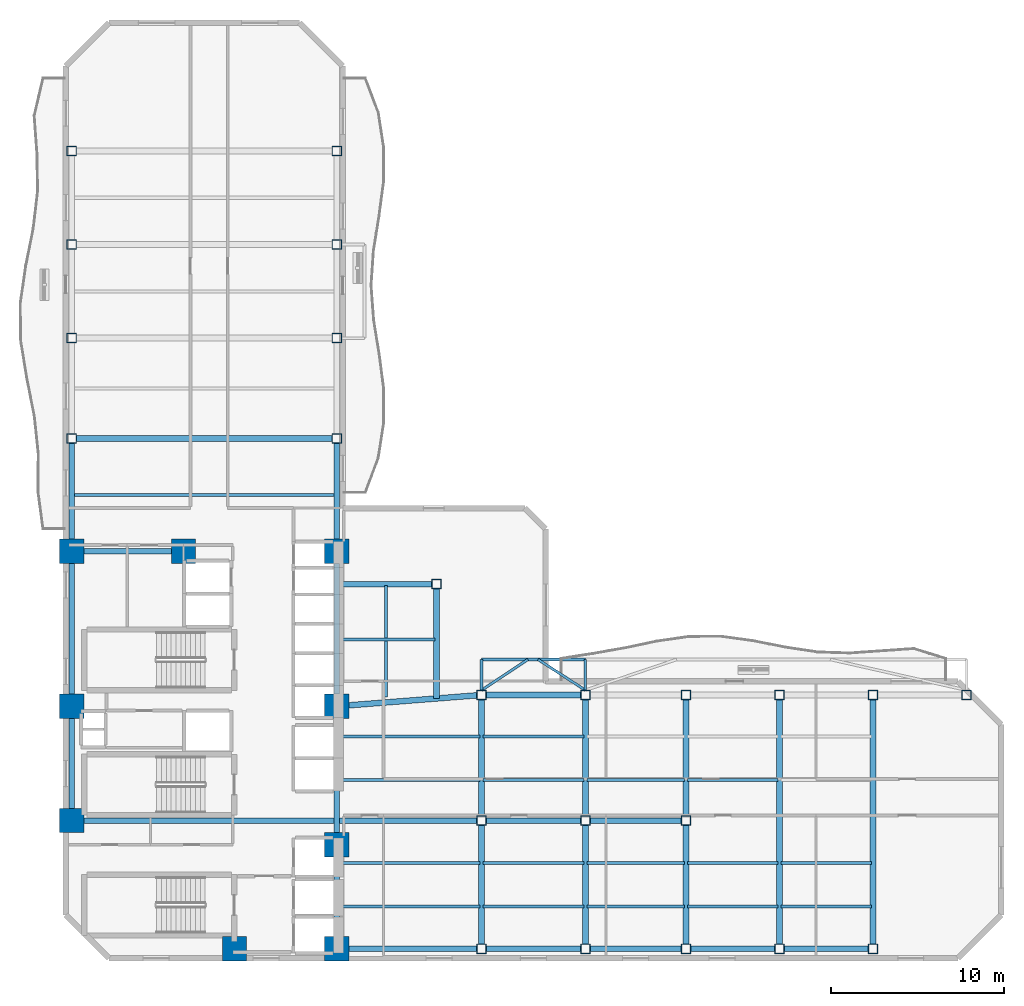
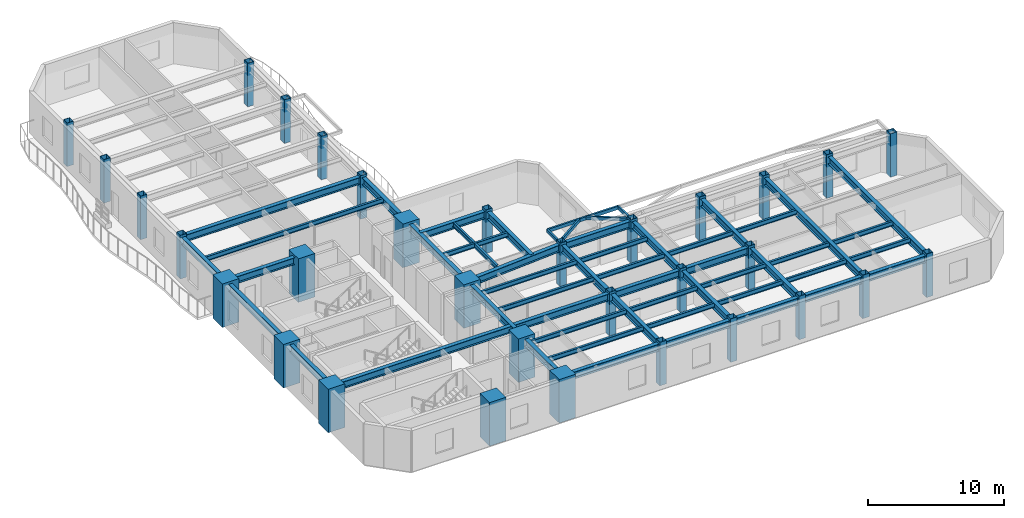
# One storey, part 1 of 10: 53 beams, 32 columns.
"""IFC4 building model written with IfcOpenShell, lengths in metres."""

import ifcopenshell
import ifcopenshell.guid

model = None  # the IFC model being written
_history = None  # IfcOwnerHistory: only IFC2X3 demands one
_inside = {}  # id of a spatial element -> (the spatial element, [elements in it])
_under = {}  # id of a project, library or spatial element -> (it, [spatial elements below it])
_declared = {}  # id of a project -> (the project, [libraries it declares])
_typed = {}  # id of a type object -> (the type object, [elements of that type])
_made_of = {}  # id of a material, layer set ... -> (it, [elements and type objects made of it])


def new_model(schema):
    """Start an empty IFC model of exactly this schema.

    Asked for "IFC4X3", IfcOpenShell would pick the latest addendum, in which some entities
    have other attributes; the version numbers below select the first issue.
    IFC2X3 requires an IfcOwnerHistory on every rooted entity: one is made here for all.
    """
    global model, _history
    if schema == "IFC4X3":
        model = ifcopenshell.file(schema_version=(4, 3, 0, 0))
    else:
        model = ifcopenshell.file(schema=schema)
    _inside.clear()
    _under.clear()
    _declared.clear()
    _typed.clear()
    _made_of.clear()
    _history = None
    if model.schema == "IFC2X3":
        org = make("IfcOrganization", Name="unknown")
        user = make(
            "IfcPersonAndOrganization",
            ThePerson=make("IfcPerson", FamilyName="unknown"),
            TheOrganization=org,
        )
        app = make(
            "IfcApplication",
            ApplicationDeveloper=org,
            Version="unknown",
            ApplicationFullName="unknown",
            ApplicationIdentifier="unknown",
        )
        _history = make(
            "IfcOwnerHistory",
            OwningUser=user,
            OwningApplication=app,
            ChangeAction="ADDED",
            CreationDate=0,
        )
    return model


def make(cls, **values):
    """One entity of the class cls with the attributes given. An attribute that is None is left unset."""
    return model.create_entity(
        cls, **{name: value for name, value in values.items() if value is not None}
    )


def rooted(cls, **values):
    """An entity with a GlobalId (a new one), such as an element, a storey or a relation."""
    return make(cls, GlobalId=ifcopenshell.guid.new(), OwnerHistory=_history, **values)


def si_unit(unit_type, name, prefix=None):
    """IfcSIUnit, for example si_unit("LENGTHUNIT", "METRE", prefix="MILLI")."""
    return make("IfcSIUnit", UnitType=unit_type, Prefix=prefix, Name=name)


def assignment(units):
    """IfcUnitAssignment: the units of a project."""
    return None if units is None else make("IfcUnitAssignment", Units=units)


def point(xyz):
    """IfcCartesianPoint."""
    return None if xyz is None else make("IfcCartesianPoint", Coordinates=xyz)


def direction(xyz):
    """IfcDirection."""
    return None if xyz is None else make("IfcDirection", DirectionRatios=xyz)


def frame(location, z_axis=None, x_axis=None):
    """IfcAxis2Placement3D, a coordinate frame: its origin and axes. An axis left out is left unset."""
    return make(
        "IfcAxis2Placement3D",
        Location=point(location),
        Axis=direction(z_axis),
        RefDirection=direction(x_axis),
    )


def frame_2d(location, x_axis=None):
    """IfcAxis2Placement2D, a coordinate frame in the plane: its origin and x axis."""
    return make(
        "IfcAxis2Placement2D", Location=point(location), RefDirection=direction(x_axis)
    )


def origin():
    """The frame at (0, 0, 0) with its axes left unset."""
    return frame((0.0, 0.0, 0.0))


def origin_2d():
    """The frame at (0, 0) in the plane with its x axis left unset."""
    return frame_2d((0.0, 0.0))


def place(relative_to, where):
    """IfcLocalPlacement: puts the frame where relative to a parent placement (None: the world)."""
    return make(
        "IfcLocalPlacement", PlacementRelTo=relative_to, RelativePlacement=where
    )


def context(
    kind, dimensions, precision=None, world=None, true_north=None, identifier=None
):
    """IfcGeometricRepresentationContext, for example the 3D "Model" context."""
    return make(
        "IfcGeometricRepresentationContext",
        ContextIdentifier=identifier,
        ContextType=kind,
        CoordinateSpaceDimension=dimensions,
        Precision=precision,
        WorldCoordinateSystem=world,
        TrueNorth=true_north,
    )


def subcontext(parent, identifier, kind, view, scale=None):
    """IfcGeometricRepresentationSubContext, for example "Body" below "Model"."""
    return make(
        "IfcGeometricRepresentationSubContext",
        ContextIdentifier=identifier,
        ContextType=kind,
        ParentContext=parent,
        TargetScale=scale,
        TargetView=view,
    )


def project(units=None, contexts=None):
    """IfcProject with its units and contexts."""
    return rooted(
        "IfcProject",
        Name="project",
        RepresentationContexts=contexts,
        UnitsInContext=assignment(units),
    )


def spatial(cls, under=None, at=None, **own):
    """A site, building, storey or space (cls), placed at a placement, below another one or the project."""
    s = rooted(cls, ObjectPlacement=at, **own)
    if under is not None:
        _under.setdefault(under.id(), (under, []))[1].append(s)
    return s


def profile(cls, at=None, kind="AREA", **sizes):
    """A parametric profile (cls). Its sizes go by their IFC names, for example OverallWidth=200.0."""
    return make(cls, ProfileType=kind, Position=at, **sizes)


def rectangle(**sizes):
    """IfcRectangleProfileDef."""
    return profile("IfcRectangleProfileDef", **sizes)


def hollow_rectangle(**sizes):
    """IfcRectangleHollowProfileDef."""
    return profile("IfcRectangleHollowProfileDef", **sizes)


def i_section(**sizes):
    """IfcIShapeProfileDef."""
    return profile("IfcIShapeProfileDef", **sizes)


def extrude(swept, where, along, depth):
    """IfcExtrudedAreaSolid: the profile swept, set in the frame where, extruded along a direction by depth."""
    return make(
        "IfcExtrudedAreaSolid",
        SweptArea=swept,
        Position=where,
        ExtrudedDirection=direction(along),
        Depth=depth,
    )


def shape(context_of_items, identifier, shape_type, items):
    """IfcShapeRepresentation: the items that make up one representation, for example the "Body"."""
    return make(
        "IfcShapeRepresentation",
        ContextOfItems=context_of_items,
        RepresentationIdentifier=identifier,
        RepresentationType=shape_type,
        Items=items,
    )


def material(Name=None, Category=None):
    """IfcMaterial."""
    return make("IfcMaterial", Name=Name, Category=Category)


def material_profile(
    of_material, cross_section, Name=None, Category=None, Priority=None
):
    """IfcMaterialProfile: a cross section and its material."""
    return make(
        "IfcMaterialProfile",
        Name=Name,
        Material=of_material,
        Profile=cross_section,
        Priority=Priority,
        Category=Category,
    )


def profile_set(profiles, Name=None, composite=None):
    """IfcMaterialProfileSet."""
    return make(
        "IfcMaterialProfileSet",
        Name=Name,
        MaterialProfiles=profiles,
        CompositeProfile=composite,
    )


def made_of(thing, what):
    """Note that an element or type object is made of a material, layer set ...; save() writes the relation."""
    if what is not None:
        _made_of.setdefault(what.id(), (what, []))[1].append(thing)
    return thing


def type_object(cls, material=None, **own):
    """A type object (cls), such as IfcWallType, which elements share."""
    return made_of(rooted(cls, **own), material)


def element(
    cls,
    number,
    at=None,
    inside=None,
    cuts=None,
    type_object=None,
    material=None,
    context=None,
    identifier="Body",
    shape_type=None,
    held_by="IfcProductDefinitionShape",
    body=None,
    shapes=None,
    **own,
):
    """One element of the class cls, such as IfcWall. Its Tag is "e" and its number.

    at: its placement. inside: the storey or other place that contains it. cuts: it is an
    opening in that element (IfcRelVoidsElement). A single representation is given by context,
    identifier, shape_type and body (its items); several are given by shapes. held_by: the class
    of the entity that holds the representations. save() writes the other relations.
    """
    e = rooted(cls, Tag="e%d" % number, ObjectPlacement=at, **own)
    if body is not None:
        shapes = [shape(context, identifier, shape_type, body)]
    if shapes is not None:
        e.Representation = make(held_by, Representations=shapes)
    if inside is not None:
        _inside.setdefault(inside.id(), (inside, []))[1].append(e)
    if cuts is not None:
        rooted(
            "IfcRelVoidsElement", RelatingBuildingElement=cuts, RelatedOpeningElement=e
        )
    if type_object is not None:
        _typed.setdefault(type_object.id(), (type_object, []))[1].append(e)
    return made_of(e, material)


def aggregate(whole, parts):
    """IfcRelAggregates: a whole, such as a stair, and the parts it consists of."""
    return rooted("IfcRelAggregates", RelatingObject=whole, RelatedObjects=parts)


def save(model, path):
    """Write the relations noted so far, then the file.

    IfcRelAggregates (storeys below a building ...), IfcRelContainedInSpatialStructure (elements
    in a storey), IfcRelDefinesByType, IfcRelAssociatesMaterial and IfcRelDeclares: one each for
    every whole, place, type object, material and project.
    """
    for whole, parts in _under.values():
        aggregate(whole, parts)
    for where, things in _inside.values():
        rooted(
            "IfcRelContainedInSpatialStructure",
            RelatedElements=things,
            RelatingStructure=where,
        )
    for kind, things in _typed.values():
        rooted("IfcRelDefinesByType", RelatedObjects=things, RelatingType=kind)
    for what, things in _made_of.values():
        rooted("IfcRelAssociatesMaterial", RelatedObjects=things, RelatingMaterial=what)
    for by, libraries in _declared.values():
        rooted("IfcRelDeclares", RelatingContext=by, RelatedDefinitions=libraries)
    model.write(path)


model = new_model("IFC4")

# Units and contexts
model_context = context("Model", 3, precision=1e-05, world=origin(), true_north=direction((0.0, 1.0)))
body_context = subcontext(model_context, "Body", "Model", "MODEL_VIEW")
ifc_project = project(units=[si_unit("LENGTHUNIT", "METRE"), si_unit("AREAUNIT", "SQUARE_METRE"), si_unit("VOLUMEUNIT", "CUBIC_METRE"), si_unit("PLANEANGLEUNIT", "RADIAN"), si_unit("MASSUNIT", "GRAM", prefix="KILO")], contexts=[model_context])

# Site, building, storey
site_placement = place(None, origin())
site = spatial("IfcSite", under=ifc_project, at=site_placement, CompositionType="ELEMENT")
building_placement = place(site_placement, origin())
building = spatial("IfcBuilding", under=site, at=building_placement, Name="Mawjaban Terraces University", CompositionType="ELEMENT")
storey_placement = place(building_placement, frame((0.0, 0.0, 73.89990234375)))
storey = spatial("IfcBuildingStorey", under=building, at=storey_placement, Name="L17", CompositionType="ELEMENT", Elevation=73.89990234375)

# Columns
ifc_material_1 = material(Name="Concrete C70/85", Category="concrete")
ifc_material_profile_1 = material_profile(ifc_material_1, rectangle(XDim=1.39990234375, YDim=1.39990234375, at=origin_2d()), Name="RC1400X1400")
ifc_profile_set_1 = profile_set([ifc_material_profile_1], Name="Concrete C70/85")
column_type_1 = type_object("IfcColumnType", Name="Col_RC1400X1400", PredefinedType="COLUMN", material=ifc_profile_set_1)
for number, where, z_axis, x_axis, name in (
    (1, (31.75, 0.550048828125, 0.0), (0.0, 0.0, 1.0), (1.0, 0.0, 0.0), "L17 Column CC2"),
    (2, (37.64990234375, 0.550048828125, 0.0), (0.0, 0.0, 1.0), (1.0, 0.0, 0.0), "L17 Column CC3"),
    (3, (22.35009765625, 7.949951171875, 0.0), (0.0, 0.0, 1.0), (1.0, 0.0, 0.0), "L17 Column CC4"),
    (4, (37.64990234375, 6.550048828125, 0.0), (0.0, 0.0, 1.0), (1.0, 0.0, 0.0), "L17 Column CC5"),
    (5, (22.35009765625, 14.550048828125, 0.0), (0.0, 0.0, 1.0), (1.0, 0.0, 0.0), "L17 Column CC6"),
    (6, (37.64990234375, 14.550048828125, 0.0), (0.0, 0.0, 1.0), (1.0, 0.0, 0.0), "L17 Column CC7"),
    (7, (22.35009765625, 23.5, 0.0), (0.0, 0.0, 1.0), (1.0, 0.0, 0.0), "L17 Column CC8"),
    (8, (28.800048828125, 23.5, 0.0), (0.0, 0.0, 1.0), (1.0, 0.0, 0.0), "L17 Column CC9"),
    (9, (37.64990234375, 23.5, 0.0), (0.0, 0.0, 1.0), (1.0, 0.0, 0.0), "L17 Column CC10"),
):
    element("IfcColumn", number, at=place(storey_placement, frame(where, z_axis=z_axis, x_axis=x_axis)), inside=storey, type_object=column_type_1, Name=name, PredefinedType="COLUMN", context=body_context, shape_type="SweptSolid", body=[
        extrude(rectangle(XDim=1.39990234375, YDim=1.39990234375, at=origin_2d()), origin(), (0.0, 0.0, 1.0), 3.900146484375),
    ])
ifc_material_2 = material(Name="Steel EN 10210-1 S355J2H", Category="steel")
ifc_material_profile_2 = material_profile(ifc_material_2, hollow_rectangle(XDim=0.550048828125, YDim=0.550048828125, WallThickness=0.02490234375, at=origin_2d()), Name="SHS550X550X25")
ifc_profile_set_2 = profile_set([ifc_material_profile_2], Name="Steel EN 10210-1 S355J2H")
column_type_2 = type_object("IfcColumnType", Name="Col_SHS550X550X25", PredefinedType="COLUMN", material=ifc_profile_set_2)
for number, where, z_axis, x_axis, name in (
    (10, (46.0, 0.550048828125, 0.0), (0.0, 0.0, 1.0), (1.0, 0.0, 0.0), "L17 Column TE-460-005"),
    (11, (46.0, 7.949951171875, 0.0), (0.0, 0.0, 1.0), (1.0, 0.0, 0.0), "L17 Column TE-460-080"),
    (12, (46.0, 15.199951171875, 0.0), (0.0, 0.0, 1.0), (1.0, 0.0, 0.0), "L17 Column TE-460-152"),
    (13, (52.0, 0.550048828125, 0.0), (0.0, 0.0, 1.0), (1.0, 0.0, 0.0), "L17 Column TE-520-005"),
    (14, (52.0, 7.949951171875, 0.0), (0.0, 0.0, 1.0), (1.0, 0.0, 0.0), "L17 Column TE-520-080"),
    (15, (52.0, 15.199951171875, 0.0), (0.0, 0.0, 1.0), (1.0, 0.0, 0.0), "L17 Column TE-520-152"),
    (16, (57.800048828125, 0.550048828125, 0.0), (0.0, 0.0, 1.0), (1.0, 0.0, 0.0), "L17 Column TE-578-005"),
    (17, (57.800048828125, 7.949951171875, 0.0), (0.0, 0.0, 1.0), (1.0, 0.0, 0.0), "L17 Column TE-578-080"),
    (18, (57.800048828125, 15.199951171875, 0.0), (0.0, 0.0, 1.0), (1.0, 0.0, 0.0), "L17 Column TE-578-152"),
    (19, (63.199951171875, 0.550048828125, 0.0), (0.0, 0.0, 1.0), (1.0, 0.0, 0.0), "L17 Column TE-632-005"),
    (20, (63.199951171875, 15.199951171875, 0.0), (0.0, 0.0, 1.0), (1.0, 0.0, 0.0), "L17 Column TE-632-152"),
    (21, (68.60009765625, 0.550048828125, 0.0), (0.0, 0.0, 1.0), (1.0, 0.0, 0.0), "L17 Column TE-686-005"),
    (22, (68.60009765625, 15.199951171875, 0.0), (0.0, 0.0, 1.0), (1.0, 0.0, 0.0), "L17 Column TE-686-152"),
    (23, (74.0, 15.199951171875, 0.0), (0.0, 0.0, 1.0), (1.0, 0.0, 0.0), "L17 Column TE-740-152"),
    (24, (22.35009765625, 30.0, 0.0), (0.0, 0.0, 1.0), (1.0, 0.0, 0.0), "L17 Column TN-223-300"),
    (25, (37.64990234375, 30.0, 0.0), (0.0, 0.0, 1.0), (1.0, 0.0, 0.0), "L17 Column TN-376-300"),
    (26, (22.35009765625, 35.800048828125, 0.0), (0.0, 0.0, 1.0), (1.0, 0.0, 0.0), "L17 Column TN-223-358"),
    (27, (37.64990234375, 35.800048828125, 0.0), (0.0, 0.0, 1.0), (1.0, 0.0, 0.0), "L17 Column TN-376-358"),
    (28, (22.35009765625, 41.199951171875, 0.0), (0.0, 0.0, 1.0), (1.0, 0.0, 0.0), "L17 Column TN-223-412"),
    (29, (37.64990234375, 41.199951171875, 0.0), (0.0, 0.0, 1.0), (1.0, 0.0, 0.0), "L17 Column TN-376-412"),
    (30, (22.35009765625, 46.60009765625, 0.0), (0.0, 0.0, 1.0), (1.0, 0.0, 0.0), "L17 Column TN-223-466"),
    (31, (37.64990234375, 46.60009765625, 0.0), (0.0, 0.0, 1.0), (1.0, 0.0, 0.0), "L17 Column TN-376-466"),
    (32, (43.39990234375, 21.60009765625, 0.0), (0.0, 0.0, 1.0), (1.0, 0.0, 0.0), "L17 Column TS-434-216"),
):
    element("IfcColumn", number, at=place(storey_placement, frame(where, z_axis=z_axis, x_axis=x_axis)), inside=storey, type_object=column_type_2, Name=name, PredefinedType="COLUMN", context=body_context, shape_type="SweptSolid", body=[
        extrude(hollow_rectangle(XDim=0.550048828125, YDim=0.550048828125, WallThickness=0.02490234375, at=origin_2d()), origin(), (0.0, 0.0, 1.0), 3.900146484375),
    ])

# Beams
ifc_material_profile_3 = material_profile(ifc_material_2, hollow_rectangle(XDim=0.14990234375, YDim=0.300048828125, WallThickness=0.012451171875, at=origin_2d()), Name="RHS300X150X12.5")
ifc_profile_set_3 = profile_set([ifc_material_profile_3], Name="Steel EN 10210-1 S355J2H")
beam_type_1 = type_object("IfcBeamType", Name="BalconyCantileverSpandrel_RHS", PredefinedType="SPANDREL", material=ifc_profile_set_3)
for number, where, z_axis, x_axis, name in (
    (33, (52.0, 15.47509765625, 3.5400390625), (0.0, 1.0, 0.0), (-1.0, 0.0, 0.0), "L17 Exterior Outrigger BAL-L18-N.1"),
    (34, (46.0, 15.47509765625, 3.5400390625), (0.0, 1.0, 0.0), (-1.0, 0.0, 0.0), "L17 Exterior Outrigger TER-L18-CLIMB.1"),
):
    element("IfcBeam", number, at=place(storey_placement, frame(where, z_axis=z_axis, x_axis=x_axis)), inside=storey, type_object=beam_type_1, Name=name, PredefinedType="SPANDREL", context=body_context, shape_type="SweptSolid", body=[
        extrude(hollow_rectangle(XDim=0.14990234375, YDim=0.300048828125, WallThickness=0.012451171875, at=origin_2d()), origin(), (0.0, 0.0, 1.0), 1.77490234375),
    ])
beam_1_placement = place(storey_placement, frame((46.0, 17.25, 3.5400390625), z_axis=(1.0, 0.0, 0.0), x_axis=(0.0, 1.0, 0.0)))
element("IfcBeam", 35, at=beam_1_placement, inside=storey, type_object=beam_type_1, Name="L17 Exterior Edge Spandrel TER-L18-CLIMB", PredefinedType="SPANDREL", context=body_context, shape_type="SweptSolid", body=[
    extrude(hollow_rectangle(XDim=0.14990234375, YDim=0.300048828125, WallThickness=0.012451171875, at=origin_2d()), origin(), (0.0, 0.0, 1.0), 6.0),
])
beam_2_placement = place(storey_placement, frame((46.0, 15.47509765625, 3.5400390625), z_axis=(0.834214443376, 0.551440171244, 0.0), x_axis=(-0.551440171244, 0.834214443376, 0.0)))
element("IfcBeam", 36, at=beam_2_placement, inside=storey, type_object=beam_type_1, Name="L17 Exterior Diagonal Strut TER-L18-CLIMB.1", PredefinedType="SPANDREL", context=body_context, shape_type="SweptSolid", body=[
    extrude(hollow_rectangle(XDim=0.14990234375, YDim=0.300048828125, WallThickness=0.012451171875, at=origin_2d()), origin(), (0.0, 0.0, 1.0), 3.21875),
])
beam_3_placement = place(storey_placement, frame((52.0, 15.47509765625, 3.5400390625), z_axis=(-0.838852245521, 0.544359173877, 0.0), x_axis=(-0.544359173877, -0.838852245521, 0.0)))
element("IfcBeam", 37, at=beam_3_placement, inside=storey, type_object=beam_type_1, Name="L17 Exterior Diagonal Strut TER-L18-CLIMB.2", PredefinedType="SPANDREL", context=body_context, shape_type="SweptSolid", body=[
    extrude(hollow_rectangle(XDim=0.14990234375, YDim=0.300048828125, WallThickness=0.012451171875, at=origin_2d()), origin(), (0.0, 0.0, 1.0), 3.260498046875),
])
ifc_material_3 = material(Name="Steel ASTM A572 Grade 50", Category="steel")
ifc_material_profile_4 = material_profile(ifc_material_3, i_section(OverallWidth=0.3291015625, OverallDepth=0.635009765625, WebThickness=0.017822265625, FlangeThickness=0.031005859375, at=origin_2d()), Name="W610X241")
ifc_profile_set_4 = profile_set([ifc_material_profile_4], Name="Steel ASTM A572 Grade 50")
beam_type_2 = type_object("IfcBeamType", Name="Beam_B_W610X241", PredefinedType="BEAM", material=ifc_profile_set_4)
beam_4_placement = place(storey_placement, frame((38.35009765625, 0.550048828125, 3.373046875), z_axis=(1.0, 0.0, 0.0), x_axis=(0.0, 1.0, 0.0)))
element("IfcBeam", 38, at=beam_4_placement, inside=storey, type_object=beam_type_2, Name="L17 Beam BM-L17-EW-01", PredefinedType="BEAM", context=body_context, shape_type="SweptSolid", body=[
    extrude(i_section(OverallWidth=0.3291015625, OverallDepth=0.635009765625, WebThickness=0.017822265625, FlangeThickness=0.031005859375, at=origin_2d()), origin(), (0.0, 0.0, 1.0), 7.375),
])
beam_5_placement = place(storey_placement, frame((46.27490234375, 0.550048828125, 3.373046875), z_axis=(1.0, 0.0, 0.0), x_axis=(0.0, 1.0, 0.0)))
element("IfcBeam", 39, at=beam_5_placement, inside=storey, type_object=beam_type_2, Name="L17 Beam BM-L17-EW-02", PredefinedType="BEAM", context=body_context, shape_type="SweptSolid", body=[
    extrude(i_section(OverallWidth=0.3291015625, OverallDepth=0.635009765625, WebThickness=0.017822265625, FlangeThickness=0.031005859375, at=origin_2d()), origin(), (0.0, 0.0, 1.0), 5.4501953125),
])
beam_6_placement = place(storey_placement, frame((52.27490234375, 0.550048828125, 3.373046875), z_axis=(1.0, 0.0, 0.0), x_axis=(0.0, 1.0, 0.0)))
element("IfcBeam", 40, at=beam_6_placement, inside=storey, type_object=beam_type_2, Name="L17 Beam BM-L17-EW-03", PredefinedType="BEAM", context=body_context, shape_type="SweptSolid", body=[
    extrude(i_section(OverallWidth=0.3291015625, OverallDepth=0.635009765625, WebThickness=0.017822265625, FlangeThickness=0.031005859375, at=origin_2d()), origin(), (0.0, 0.0, 1.0), 5.25),
])
beam_7_placement = place(storey_placement, frame((58.074951171875, 0.550048828125, 3.373046875), z_axis=(1.0, 0.0, 0.0), x_axis=(0.0, 1.0, 0.0)))
element("IfcBeam", 41, at=beam_7_placement, inside=storey, type_object=beam_type_2, Name="L17 Beam BM-L17-EW-04", PredefinedType="BEAM", context=body_context, shape_type="SweptSolid", body=[
    extrude(i_section(OverallWidth=0.3291015625, OverallDepth=0.635009765625, WebThickness=0.017822265625, FlangeThickness=0.031005859375, at=origin_2d()), origin(), (0.0, 0.0, 1.0), 4.85009765625),
])
beam_8_placement = place(storey_placement, frame((63.47509765625, 0.550048828125, 3.373046875), z_axis=(1.0, 0.0, 0.0), x_axis=(0.0, 1.0, 0.0)))
element("IfcBeam", 42, at=beam_8_placement, inside=storey, type_object=beam_type_2, Name="L17 Beam BM-L17-EW-05", PredefinedType="BEAM", context=body_context, shape_type="SweptSolid", body=[
    extrude(i_section(OverallWidth=0.3291015625, OverallDepth=0.635009765625, WebThickness=0.017822265625, FlangeThickness=0.031005859375, at=origin_2d()), origin(), (0.0, 0.0, 1.0), 4.849853515625),
])
beam_9_placement = place(storey_placement, frame((23.050048828125, 7.949951171875, 3.373046875), z_axis=(1.0, 0.0, 0.0), x_axis=(0.0, 1.0, 0.0)))
element("IfcBeam", 43, at=beam_9_placement, inside=storey, type_object=beam_type_2, Name="L17 Beam BM-L17-EW-06", PredefinedType="BEAM", context=body_context, shape_type="SweptSolid", body=[
    extrude(i_section(OverallWidth=0.3291015625, OverallDepth=0.635009765625, WebThickness=0.017822265625, FlangeThickness=0.031005859375, at=origin_2d()), origin(), (0.0, 0.0, 1.0), 22.675048828125),
])
beam_10_placement = place(storey_placement, frame((46.27490234375, 7.949951171875, 3.373046875), z_axis=(1.0, 0.0, 0.0), x_axis=(0.0, 1.0, 0.0)))
element("IfcBeam", 44, at=beam_10_placement, inside=storey, type_object=beam_type_2, Name="L17 Beam BM-L17-EW-07", PredefinedType="BEAM", context=body_context, shape_type="SweptSolid", body=[
    extrude(i_section(OverallWidth=0.3291015625, OverallDepth=0.635009765625, WebThickness=0.017822265625, FlangeThickness=0.031005859375, at=origin_2d()), origin(), (0.0, 0.0, 1.0), 5.4501953125),
])
beam_11_placement = place(storey_placement, frame((52.27490234375, 7.949951171875, 3.373046875), z_axis=(1.0, 0.0, 0.0), x_axis=(0.0, 1.0, 0.0)))
element("IfcBeam", 45, at=beam_11_placement, inside=storey, type_object=beam_type_2, Name="L17 Beam BM-L17-EW-08", PredefinedType="BEAM", context=body_context, shape_type="SweptSolid", body=[
    extrude(i_section(OverallWidth=0.3291015625, OverallDepth=0.635009765625, WebThickness=0.017822265625, FlangeThickness=0.031005859375, at=origin_2d()), origin(), (0.0, 0.0, 1.0), 5.25),
])
beam_12_placement = place(storey_placement, frame((46.27490234375, 15.199951171875, 3.373046875), z_axis=(1.0, 0.0, 0.0), x_axis=(0.0, 1.0, 0.0)))
element("IfcBeam", 46, at=beam_12_placement, inside=storey, type_object=beam_type_2, Name="L17 Beam BM-L17-EW-09", PredefinedType="BEAM", context=body_context, shape_type="SweptSolid", body=[
    extrude(i_section(OverallWidth=0.3291015625, OverallDepth=0.635009765625, WebThickness=0.017822265625, FlangeThickness=0.031005859375, at=origin_2d()), origin(), (0.0, 0.0, 1.0), 5.4501953125),
])
beam_13_placement = place(storey_placement, frame((23.050048828125, 23.5, 3.373046875), z_axis=(1.0, 0.0, 0.0), x_axis=(0.0, 1.0, 0.0)))
element("IfcBeam", 47, at=beam_13_placement, inside=storey, type_object=beam_type_2, Name="L17 Beam BM-L17-EW-14", PredefinedType="BEAM", context=body_context, shape_type="SweptSolid", body=[
    extrude(i_section(OverallWidth=0.3291015625, OverallDepth=0.635009765625, WebThickness=0.017822265625, FlangeThickness=0.031005859375, at=origin_2d()), origin(), (0.0, 0.0, 1.0), 5.050048828125),
])
beam_14_placement = place(storey_placement, frame((22.625, 30.0, 3.373046875), z_axis=(1.0, 0.0, 0.0), x_axis=(0.0, 1.0, 0.0)))
element("IfcBeam", 48, at=beam_14_placement, inside=storey, type_object=beam_type_2, Name="L17 Beam BM-L17-EW-15", PredefinedType="BEAM", context=body_context, shape_type="SweptSolid", body=[
    extrude(i_section(OverallWidth=0.3291015625, OverallDepth=0.635009765625, WebThickness=0.017822265625, FlangeThickness=0.031005859375, at=origin_2d()), origin(), (0.0, 0.0, 1.0), 14.75),
])
beam_15_placement = place(storey_placement, frame((22.35009765625, 8.64990234375, 3.373046875), z_axis=(0.0, 1.0, 0.0), x_axis=(-1.0, 0.0, 0.0)))
element("IfcBeam", 49, at=beam_15_placement, inside=storey, type_object=beam_type_2, Name="L17 Beam BM-L17-NS-01", PredefinedType="BEAM", context=body_context, shape_type="SweptSolid", body=[
    extrude(i_section(OverallWidth=0.3291015625, OverallDepth=0.635009765625, WebThickness=0.017822265625, FlangeThickness=0.031005859375, at=origin_2d()), origin(), (0.0, 0.0, 1.0), 5.2001953125),
])
beam_16_placement = place(storey_placement, frame((22.35009765625, 15.25, 3.373046875), z_axis=(0.0, 1.0, 0.0), x_axis=(-1.0, 0.0, 0.0)))
element("IfcBeam", 50, at=beam_16_placement, inside=storey, type_object=beam_type_2, Name="L17 Beam BM-L17-NS-02", PredefinedType="BEAM", context=body_context, shape_type="SweptSolid", body=[
    extrude(i_section(OverallWidth=0.3291015625, OverallDepth=0.635009765625, WebThickness=0.017822265625, FlangeThickness=0.031005859375, at=origin_2d()), origin(), (0.0, 0.0, 1.0), 7.550048828125),
])
beam_17_placement = place(storey_placement, frame((22.35009765625, 24.199951171875, 3.373046875), z_axis=(0.0, 1.0, 0.0), x_axis=(-1.0, 0.0, 0.0)))
element("IfcBeam", 51, at=beam_17_placement, inside=storey, type_object=beam_type_2, Name="L17 Beam BM-L17-NS-03", PredefinedType="BEAM", context=body_context, shape_type="SweptSolid", body=[
    extrude(i_section(OverallWidth=0.3291015625, OverallDepth=0.635009765625, WebThickness=0.017822265625, FlangeThickness=0.031005859375, at=origin_2d()), origin(), (0.0, 0.0, 1.0), 5.525146484375),
])
beam_18_placement = place(storey_placement, frame((37.64990234375, 1.25, 3.373046875), z_axis=(0.0, 1.0, 0.0), x_axis=(-1.0, 0.0, 0.0)))
element("IfcBeam", 52, at=beam_18_placement, inside=storey, type_object=beam_type_2, Name="L17 Beam BM-L17-NS-07", PredefinedType="BEAM", context=body_context, shape_type="SweptSolid", body=[
    extrude(i_section(OverallWidth=0.3291015625, OverallDepth=0.635009765625, WebThickness=0.017822265625, FlangeThickness=0.031005859375, at=origin_2d()), origin(), (0.0, 0.0, 1.0), 4.60009765625),
])
beam_19_placement = place(storey_placement, frame((37.64990234375, 7.25, 3.373046875), z_axis=(0.0, 1.0, 0.0), x_axis=(-1.0, 0.0, 0.0)))
element("IfcBeam", 53, at=beam_19_placement, inside=storey, type_object=beam_type_2, Name="L17 Beam BM-L17-NS-08", PredefinedType="BEAM", context=body_context, shape_type="SweptSolid", body=[
    extrude(i_section(OverallWidth=0.3291015625, OverallDepth=0.635009765625, WebThickness=0.017822265625, FlangeThickness=0.031005859375, at=origin_2d()), origin(), (0.0, 0.0, 1.0), 6.60009765625),
])
beam_20_placement = place(storey_placement, frame((37.64990234375, 15.25, 3.373046875), z_axis=(0.0, 1.0, 0.0), x_axis=(-1.0, 0.0, 0.0)))
element("IfcBeam", 54, at=beam_20_placement, inside=storey, type_object=beam_type_2, Name="L17 Beam BM-L17-NS-09", PredefinedType="BEAM", context=body_context, shape_type="SweptSolid", body=[
    extrude(i_section(OverallWidth=0.3291015625, OverallDepth=0.635009765625, WebThickness=0.017822265625, FlangeThickness=0.031005859375, at=origin_2d()), origin(), (0.0, 0.0, 1.0), 7.550048828125),
])
beam_21_placement = place(storey_placement, frame((37.64990234375, 24.199951171875, 3.373046875), z_axis=(0.0, 1.0, 0.0), x_axis=(-1.0, 0.0, 0.0)))
element("IfcBeam", 55, at=beam_21_placement, inside=storey, type_object=beam_type_2, Name="L17 Beam BM-L17-NS-10", PredefinedType="BEAM", context=body_context, shape_type="SweptSolid", body=[
    extrude(i_section(OverallWidth=0.3291015625, OverallDepth=0.635009765625, WebThickness=0.017822265625, FlangeThickness=0.031005859375, at=origin_2d()), origin(), (0.0, 0.0, 1.0), 5.525146484375),
])
beam_22_placement = place(storey_placement, frame((46.0, 0.824951171875, 3.373046875), z_axis=(0.0, 1.0, 0.0), x_axis=(-1.0, 0.0, 0.0)))
element("IfcBeam", 56, at=beam_22_placement, inside=storey, type_object=beam_type_2, Name="L17 Beam BM-L17-NS-14", PredefinedType="BEAM", context=body_context, shape_type="SweptSolid", body=[
    extrude(i_section(OverallWidth=0.3291015625, OverallDepth=0.635009765625, WebThickness=0.017822265625, FlangeThickness=0.031005859375, at=origin_2d()), origin(), (0.0, 0.0, 1.0), 6.85009765625),
])
beam_23_placement = place(storey_placement, frame((46.0, 8.22509765625, 3.373046875), z_axis=(0.0, 1.0, 0.0), x_axis=(-1.0, 0.0, 0.0)))
element("IfcBeam", 57, at=beam_23_placement, inside=storey, type_object=beam_type_2, Name="L17 Beam BM-L17-NS-15", PredefinedType="BEAM", context=body_context, shape_type="SweptSolid", body=[
    extrude(i_section(OverallWidth=0.3291015625, OverallDepth=0.635009765625, WebThickness=0.017822265625, FlangeThickness=0.031005859375, at=origin_2d()), origin(), (0.0, 0.0, 1.0), 6.699951171875),
])
beam_24_placement = place(storey_placement, frame((52.0, 0.824951171875, 3.373046875), z_axis=(0.0, 1.0, 0.0), x_axis=(-1.0, 0.0, 0.0)))
element("IfcBeam", 58, at=beam_24_placement, inside=storey, type_object=beam_type_2, Name="L17 Beam BM-L17-NS-16", PredefinedType="BEAM", context=body_context, shape_type="SweptSolid", body=[
    extrude(i_section(OverallWidth=0.3291015625, OverallDepth=0.635009765625, WebThickness=0.017822265625, FlangeThickness=0.031005859375, at=origin_2d()), origin(), (0.0, 0.0, 1.0), 6.85009765625),
])
beam_25_placement = place(storey_placement, frame((52.0, 8.22509765625, 3.373046875), z_axis=(0.0, 1.0, 0.0), x_axis=(-1.0, 0.0, 0.0)))
element("IfcBeam", 59, at=beam_25_placement, inside=storey, type_object=beam_type_2, Name="L17 Beam BM-L17-NS-17", PredefinedType="BEAM", context=body_context, shape_type="SweptSolid", body=[
    extrude(i_section(OverallWidth=0.3291015625, OverallDepth=0.635009765625, WebThickness=0.017822265625, FlangeThickness=0.031005859375, at=origin_2d()), origin(), (0.0, 0.0, 1.0), 6.699951171875),
])
beam_26_placement = place(storey_placement, frame((57.800048828125, 0.824951171875, 3.373046875), z_axis=(0.0, 1.0, 0.0), x_axis=(-1.0, 0.0, 0.0)))
element("IfcBeam", 60, at=beam_26_placement, inside=storey, type_object=beam_type_2, Name="L17 Beam BM-L17-NS-18", PredefinedType="BEAM", context=body_context, shape_type="SweptSolid", body=[
    extrude(i_section(OverallWidth=0.3291015625, OverallDepth=0.635009765625, WebThickness=0.017822265625, FlangeThickness=0.031005859375, at=origin_2d()), origin(), (0.0, 0.0, 1.0), 6.85009765625),
])
beam_27_placement = place(storey_placement, frame((57.800048828125, 8.22509765625, 3.373046875), z_axis=(0.0, 1.0, 0.0), x_axis=(-1.0, 0.0, 0.0)))
element("IfcBeam", 61, at=beam_27_placement, inside=storey, type_object=beam_type_2, Name="L17 Beam BM-L17-NS-19", PredefinedType="BEAM", context=body_context, shape_type="SweptSolid", body=[
    extrude(i_section(OverallWidth=0.3291015625, OverallDepth=0.635009765625, WebThickness=0.017822265625, FlangeThickness=0.031005859375, at=origin_2d()), origin(), (0.0, 0.0, 1.0), 6.699951171875),
])
for number, where, z_axis, x_axis, name in (
    (62, (63.199951171875, 0.824951171875, 3.373046875), (0.0, 1.0, 0.0), (-1.0, 0.0, 0.0), "L17 Beam BM-L17-NS-20"),
    (63, (68.60009765625, 0.824951171875, 3.373046875), (0.0, 1.0, 0.0), (-1.0, 0.0, 0.0), "L17 Beam BM-L17-NS-21"),
):
    element("IfcBeam", number, at=place(storey_placement, frame(where, z_axis=z_axis, x_axis=x_axis)), inside=storey, type_object=beam_type_2, Name=name, PredefinedType="BEAM", context=body_context, shape_type="SweptSolid", body=[
        extrude(i_section(OverallWidth=0.3291015625, OverallDepth=0.635009765625, WebThickness=0.017822265625, FlangeThickness=0.031005859375, at=origin_2d()), origin(), (0.0, 0.0, 1.0), 14.10009765625),
    ])
beam_28_placement = place(storey_placement, frame((38.347900390625, 14.60400390625, 3.373046875), z_axis=(0.996977531908, 0.077690416851, 0.0), x_axis=(-0.077690416851, 0.996977531908, 0.0)))
element("IfcBeam", 64, at=beam_28_placement, inside=storey, type_object=beam_type_2, Name="L17 Beam BM-L17-CTIE", PredefinedType="BEAM", context=body_context, shape_type="SweptSolid", body=[
    extrude(i_section(OverallWidth=0.3291015625, OverallDepth=0.635009765625, WebThickness=0.017822265625, FlangeThickness=0.031005859375, at=origin_2d()), origin(), (0.0, 0.0, 1.0), 7.400634765625),
])
beam_29_placement = place(storey_placement, frame((37.679931640625, 21.60009765625, 3.373046875), z_axis=(1.0, 0.0, 0.0), x_axis=(0.0, 1.0, 0.0)))
element("IfcBeam", 65, at=beam_29_placement, inside=storey, type_object=beam_type_2, Name="L17 Spur Tie Girder West", PredefinedType="BEAM", context=body_context, shape_type="SweptSolid", body=[
    extrude(i_section(OverallWidth=0.3291015625, OverallDepth=0.635009765625, WebThickness=0.017822265625, FlangeThickness=0.031005859375, at=origin_2d()), origin(), (0.0, 0.0, 1.0), 5.445068359375),
])
beam_30_placement = place(storey_placement, frame((43.39990234375, 15.0, 3.373046875), z_axis=(0.0, 1.0, 0.0), x_axis=(-1.0, 0.0, 0.0)))
element("IfcBeam", 66, at=beam_30_placement, inside=storey, type_object=beam_type_2, Name="L17 Spur Tie Girder South", PredefinedType="BEAM", context=body_context, shape_type="SweptSolid", body=[
    extrude(i_section(OverallWidth=0.3291015625, OverallDepth=0.635009765625, WebThickness=0.017822265625, FlangeThickness=0.031005859375, at=origin_2d()), origin(), (0.0, 0.0, 1.0), 6.324951171875),
])
ifc_material_profile_5 = material_profile(ifc_material_3, i_section(OverallWidth=0.179931640625, OverallDepth=0.4130859375, WebThickness=0.009765625, FlangeThickness=0.01611328125, at=origin_2d()), Name="W410X74")
ifc_profile_set_5 = profile_set([ifc_material_profile_5], Name="Steel ASTM A572 Grade 50")
beam_type_3 = type_object("IfcBeamType", Name="Beam_J_W410X74", PredefinedType="JOIST", material=ifc_profile_set_5)
beam_31_placement = place(storey_placement, frame((37.72998046875, 3.0, 3.483154296875), z_axis=(1.0, 0.0, 0.0), x_axis=(0.0, 1.0, 0.0)))
element("IfcBeam", 67, at=beam_31_placement, inside=storey, type_object=beam_type_3, Name="L17 Composite Joist JST-L17-01", PredefinedType="JOIST", context=body_context, shape_type="SweptSolid", body=[
    extrude(i_section(OverallWidth=0.179931640625, OverallDepth=0.4130859375, WebThickness=0.009765625, FlangeThickness=0.01611328125, at=origin_2d()), origin(), (0.0, 0.0, 1.0), 8.18994140625),
])
beam_32_placement = place(storey_placement, frame((46.080078125, 3.0, 3.483154296875), z_axis=(1.0, 0.0, 0.0), x_axis=(0.0, 1.0, 0.0)))
element("IfcBeam", 68, at=beam_32_placement, inside=storey, type_object=beam_type_3, Name="L17 Composite Joist JST-L17-02", PredefinedType="JOIST", context=body_context, shape_type="SweptSolid", body=[
    extrude(i_section(OverallWidth=0.179931640625, OverallDepth=0.4130859375, WebThickness=0.009765625, FlangeThickness=0.01611328125, at=origin_2d()), origin(), (0.0, 0.0, 1.0), 5.83984375),
])
beam_33_placement = place(storey_placement, frame((52.080078125, 3.0, 3.483154296875), z_axis=(1.0, 0.0, 0.0), x_axis=(0.0, 1.0, 0.0)))
element("IfcBeam", 69, at=beam_33_placement, inside=storey, type_object=beam_type_3, Name="L17 Composite Joist JST-L17-03", PredefinedType="JOIST", context=body_context, shape_type="SweptSolid", body=[
    extrude(i_section(OverallWidth=0.179931640625, OverallDepth=0.4130859375, WebThickness=0.009765625, FlangeThickness=0.01611328125, at=origin_2d()), origin(), (0.0, 0.0, 1.0), 5.639892578125),
])
beam_34_placement = place(storey_placement, frame((57.8798828125, 3.0, 3.483154296875), z_axis=(1.0, 0.0, 0.0), x_axis=(0.0, 1.0, 0.0)))
element("IfcBeam", 70, at=beam_34_placement, inside=storey, type_object=beam_type_3, Name="L17 Composite Joist JST-L17-04", PredefinedType="JOIST", context=body_context, shape_type="SweptSolid", body=[
    extrude(i_section(OverallWidth=0.179931640625, OverallDepth=0.4130859375, WebThickness=0.009765625, FlangeThickness=0.01611328125, at=origin_2d()), origin(), (0.0, 0.0, 1.0), 5.240234375),
])
beam_35_placement = place(storey_placement, frame((63.280029296875, 3.0, 3.483154296875), z_axis=(1.0, 0.0, 0.0), x_axis=(0.0, 1.0, 0.0)))
element("IfcBeam", 71, at=beam_35_placement, inside=storey, type_object=beam_type_3, Name="L17 Composite Joist JST-L17-05", PredefinedType="JOIST", context=body_context, shape_type="SweptSolid", body=[
    extrude(i_section(OverallWidth=0.179931640625, OverallDepth=0.4130859375, WebThickness=0.009765625, FlangeThickness=0.01611328125, at=origin_2d()), origin(), (0.0, 0.0, 1.0), 5.239990234375),
])
beam_36_placement = place(storey_placement, frame((37.72998046875, 5.5, 3.483154296875), z_axis=(1.0, 0.0, 0.0), x_axis=(0.0, 1.0, 0.0)))
element("IfcBeam", 72, at=beam_36_placement, inside=storey, type_object=beam_type_3, Name="L17 Composite Joist JST-L17-06", PredefinedType="JOIST", context=body_context, shape_type="SweptSolid", body=[
    extrude(i_section(OverallWidth=0.179931640625, OverallDepth=0.4130859375, WebThickness=0.009765625, FlangeThickness=0.01611328125, at=origin_2d()), origin(), (0.0, 0.0, 1.0), 8.18994140625),
])
beam_37_placement = place(storey_placement, frame((46.080078125, 5.5, 3.483154296875), z_axis=(1.0, 0.0, 0.0), x_axis=(0.0, 1.0, 0.0)))
element("IfcBeam", 73, at=beam_37_placement, inside=storey, type_object=beam_type_3, Name="L17 Composite Joist JST-L17-07", PredefinedType="JOIST", context=body_context, shape_type="SweptSolid", body=[
    extrude(i_section(OverallWidth=0.179931640625, OverallDepth=0.4130859375, WebThickness=0.009765625, FlangeThickness=0.01611328125, at=origin_2d()), origin(), (0.0, 0.0, 1.0), 5.83984375),
])
beam_38_placement = place(storey_placement, frame((52.080078125, 5.5, 3.483154296875), z_axis=(1.0, 0.0, 0.0), x_axis=(0.0, 1.0, 0.0)))
element("IfcBeam", 74, at=beam_38_placement, inside=storey, type_object=beam_type_3, Name="L17 Composite Joist JST-L17-08", PredefinedType="JOIST", context=body_context, shape_type="SweptSolid", body=[
    extrude(i_section(OverallWidth=0.179931640625, OverallDepth=0.4130859375, WebThickness=0.009765625, FlangeThickness=0.01611328125, at=origin_2d()), origin(), (0.0, 0.0, 1.0), 5.639892578125),
])
beam_39_placement = place(storey_placement, frame((57.8798828125, 5.5, 3.483154296875), z_axis=(1.0, 0.0, 0.0), x_axis=(0.0, 1.0, 0.0)))
element("IfcBeam", 75, at=beam_39_placement, inside=storey, type_object=beam_type_3, Name="L17 Composite Joist JST-L17-09", PredefinedType="JOIST", context=body_context, shape_type="SweptSolid", body=[
    extrude(i_section(OverallWidth=0.179931640625, OverallDepth=0.4130859375, WebThickness=0.009765625, FlangeThickness=0.01611328125, at=origin_2d()), origin(), (0.0, 0.0, 1.0), 5.240234375),
])
beam_40_placement = place(storey_placement, frame((63.280029296875, 5.5, 3.483154296875), z_axis=(1.0, 0.0, 0.0), x_axis=(0.0, 1.0, 0.0)))
element("IfcBeam", 76, at=beam_40_placement, inside=storey, type_object=beam_type_3, Name="L17 Composite Joist JST-L17-10", PredefinedType="JOIST", context=body_context, shape_type="SweptSolid", body=[
    extrude(i_section(OverallWidth=0.179931640625, OverallDepth=0.4130859375, WebThickness=0.009765625, FlangeThickness=0.01611328125, at=origin_2d()), origin(), (0.0, 0.0, 1.0), 5.239990234375),
])
beam_41_placement = place(storey_placement, frame((37.72998046875, 10.300048828125, 3.483154296875), z_axis=(1.0, 0.0, 0.0), x_axis=(0.0, 1.0, 0.0)))
element("IfcBeam", 77, at=beam_41_placement, inside=storey, type_object=beam_type_3, Name="L17 Composite Joist JST-L17-11", PredefinedType="JOIST", context=body_context, shape_type="SweptSolid", body=[
    extrude(i_section(OverallWidth=0.179931640625, OverallDepth=0.4130859375, WebThickness=0.009765625, FlangeThickness=0.01611328125, at=origin_2d()), origin(), (0.0, 0.0, 1.0), 8.18994140625),
])
beam_42_placement = place(storey_placement, frame((46.080078125, 10.300048828125, 3.483154296875), z_axis=(1.0, 0.0, 0.0), x_axis=(0.0, 1.0, 0.0)))
element("IfcBeam", 78, at=beam_42_placement, inside=storey, type_object=beam_type_3, Name="L17 Composite Joist JST-L17-12", PredefinedType="JOIST", context=body_context, shape_type="SweptSolid", body=[
    extrude(i_section(OverallWidth=0.179931640625, OverallDepth=0.4130859375, WebThickness=0.009765625, FlangeThickness=0.01611328125, at=origin_2d()), origin(), (0.0, 0.0, 1.0), 5.83984375),
])
beam_43_placement = place(storey_placement, frame((52.080078125, 10.300048828125, 3.483154296875), z_axis=(1.0, 0.0, 0.0), x_axis=(0.0, 1.0, 0.0)))
element("IfcBeam", 79, at=beam_43_placement, inside=storey, type_object=beam_type_3, Name="L17 Composite Joist JST-L17-13", PredefinedType="JOIST", context=body_context, shape_type="SweptSolid", body=[
    extrude(i_section(OverallWidth=0.179931640625, OverallDepth=0.4130859375, WebThickness=0.009765625, FlangeThickness=0.01611328125, at=origin_2d()), origin(), (0.0, 0.0, 1.0), 5.639892578125),
])
beam_44_placement = place(storey_placement, frame((57.8798828125, 10.300048828125, 3.483154296875), z_axis=(1.0, 0.0, 0.0), x_axis=(0.0, 1.0, 0.0)))
element("IfcBeam", 80, at=beam_44_placement, inside=storey, type_object=beam_type_3, Name="L17 Composite Joist JST-L17-14", PredefinedType="JOIST", context=body_context, shape_type="SweptSolid", body=[
    extrude(i_section(OverallWidth=0.179931640625, OverallDepth=0.4130859375, WebThickness=0.009765625, FlangeThickness=0.01611328125, at=origin_2d()), origin(), (0.0, 0.0, 1.0), 5.240234375),
])
beam_45_placement = place(storey_placement, frame((37.72998046875, 12.800048828125, 3.483154296875), z_axis=(1.0, 0.0, 0.0), x_axis=(0.0, 1.0, 0.0)))
element("IfcBeam", 81, at=beam_45_placement, inside=storey, type_object=beam_type_3, Name="L17 Composite Joist JST-L17-16", PredefinedType="JOIST", context=body_context, shape_type="SweptSolid", body=[
    extrude(i_section(OverallWidth=0.179931640625, OverallDepth=0.4130859375, WebThickness=0.009765625, FlangeThickness=0.01611328125, at=origin_2d()), origin(), (0.0, 0.0, 1.0), 8.18994140625),
])
beam_46_placement = place(storey_placement, frame((46.080078125, 12.800048828125, 3.483154296875), z_axis=(1.0, 0.0, 0.0), x_axis=(0.0, 1.0, 0.0)))
element("IfcBeam", 82, at=beam_46_placement, inside=storey, type_object=beam_type_3, Name="L17 Composite Joist JST-L17-17", PredefinedType="JOIST", context=body_context, shape_type="SweptSolid", body=[
    extrude(i_section(OverallWidth=0.179931640625, OverallDepth=0.4130859375, WebThickness=0.009765625, FlangeThickness=0.01611328125, at=origin_2d()), origin(), (0.0, 0.0, 1.0), 5.83984375),
])
beam_47_placement = place(storey_placement, frame((37.72998046875, 18.39990234375, 3.483154296875), z_axis=(1.0, 0.0, 0.0), x_axis=(0.0, 1.0, 0.0)))
element("IfcBeam", 83, at=beam_47_placement, inside=storey, type_object=beam_type_3, Name="L17 Composite Joist JST-L17-21", PredefinedType="JOIST", context=body_context, shape_type="SweptSolid", body=[
    extrude(i_section(OverallWidth=0.179931640625, OverallDepth=0.4130859375, WebThickness=0.009765625, FlangeThickness=0.01611328125, at=origin_2d()), origin(), (0.0, 0.0, 1.0), 5.590087890625),
])
beam_48_placement = place(storey_placement, frame((22.429931640625, 26.75, 3.483154296875), z_axis=(1.0, 0.0, 0.0), x_axis=(0.0, 1.0, 0.0)))
element("IfcBeam", 84, at=beam_48_placement, inside=storey, type_object=beam_type_3, Name="L17 Composite Joist JST-L17-22", PredefinedType="JOIST", context=body_context, shape_type="SweptSolid", body=[
    extrude(i_section(OverallWidth=0.179931640625, OverallDepth=0.4130859375, WebThickness=0.009765625, FlangeThickness=0.01611328125, at=origin_2d()), origin(), (0.0, 0.0, 1.0), 15.14013671875),
])
beam_49_placement = place(storey_placement, frame((40.5, 15.080078125, 3.483154296875), z_axis=(0.0, 1.0, 0.0), x_axis=(-1.0, 0.0, 0.0)))
element("IfcBeam", 85, at=beam_49_placement, inside=storey, type_object=beam_type_3, Name="L17 Composite Joist JST-L17-NS-26", PredefinedType="JOIST", context=body_context, shape_type="SweptSolid", body=[
    extrude(i_section(OverallWidth=0.179931640625, OverallDepth=0.4130859375, WebThickness=0.009765625, FlangeThickness=0.01611328125, at=origin_2d()), origin(), (0.0, 0.0, 1.0), 6.43994140625),
])

save(model, "model.ifc")
